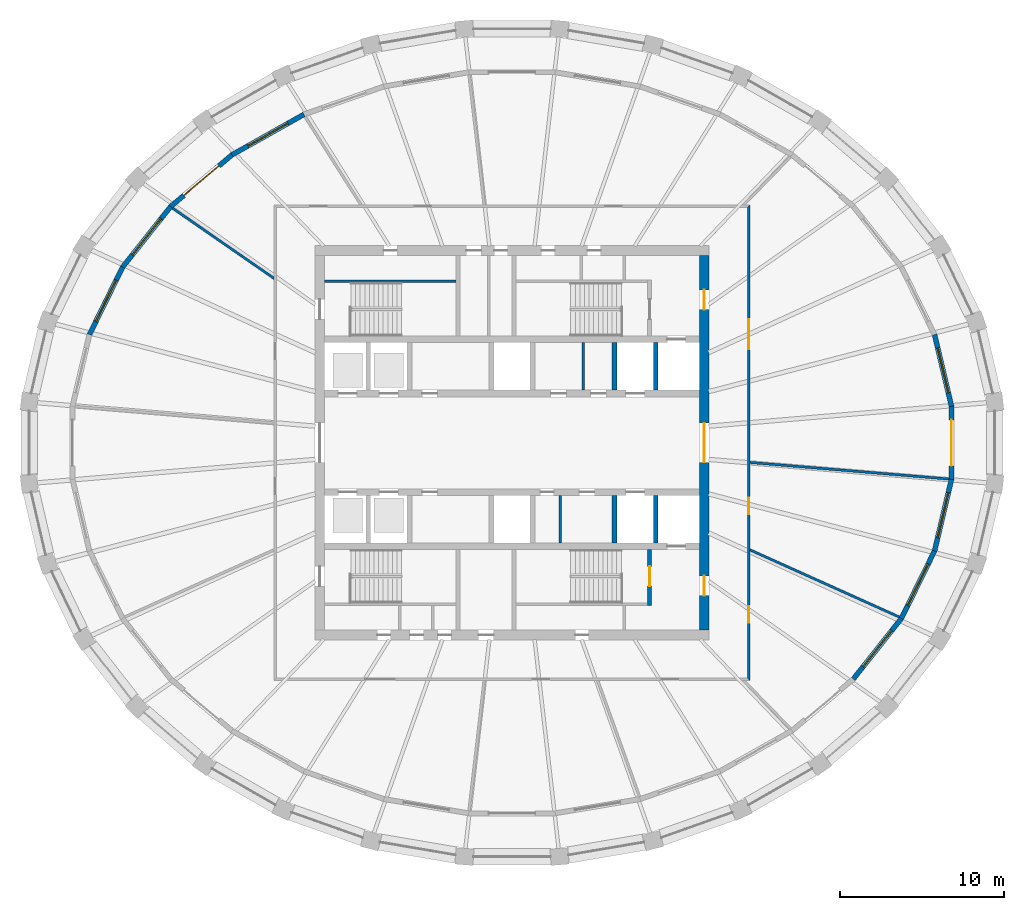
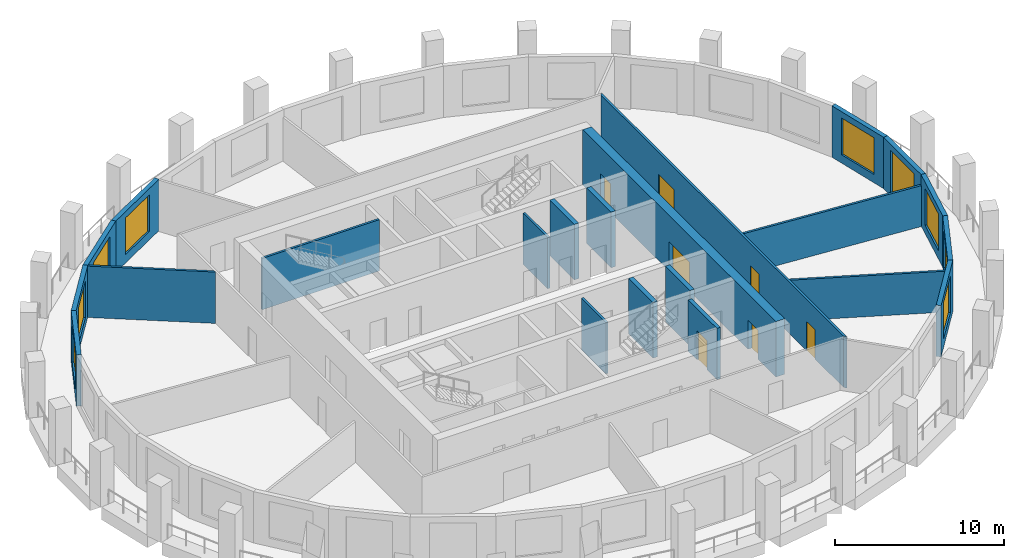
# One storey, part 5 of 10: 22 walls, 9 doors, 7 windows, 16 openings.
"""IFC4 building model written with IfcOpenShell, lengths in metres."""

from ifc_helpers import new_model, si_unit, direction, frame, frame_2d, origin, place, context, subcontext, project, spatial, polyline, rectangle, outline, extrude, material, layer, layer_set, type_object, element, fill, save


model = new_model("IFC4")

# Units and contexts
model_context = context("Model", 3, precision=1e-05, world=origin(), true_north=direction((0.0, 1.0)))
body_context = subcontext(model_context, "Body", "Model", "MODEL_VIEW")
ifc_project = project(units=[si_unit("LENGTHUNIT", "METRE"), si_unit("AREAUNIT", "SQUARE_METRE"), si_unit("VOLUMEUNIT", "CUBIC_METRE"), si_unit("PLANEANGLEUNIT", "RADIAN"), si_unit("MASSUNIT", "GRAM", prefix="KILO")], contexts=[model_context])

# Site, building, storey
site_placement = place(None, origin())
site = spatial("IfcSite", under=ifc_project, at=site_placement, CompositionType="ELEMENT")
building_placement = place(site_placement, origin())
building = spatial("IfcBuilding", under=site, at=building_placement, Name="Halqa Exchange Tower", CompositionType="ELEMENT")
storey_placement = place(building_placement, frame((0.0, 0.0, 280.300048828125)))
storey = spatial("IfcBuildingStorey", under=building, at=storey_placement, Name="L65", CompositionType="ELEMENT", Elevation=280.300048828125)

# Wall
ifc_material_1 = material(Name="Fire-rated gypsum board")
ifc_layer_1 = layer(ifc_material_1, 0.14990234375)
ifc_layer_set_1 = layer_set([ifc_layer_1], Name="Fire-rated gypsum board")
wall_type_1 = type_object("IfcWallType", Name="Fire partition EI 60 150", PredefinedType="PARTITIONING", material=ifc_layer_set_1)
wall_1_placement = place(storey_placement, frame((-14.4326171875, 9.972412109375, 0.0), z_axis=(0.0, 0.0, 1.0), x_axis=(-0.822596869136, 0.568625000231, 0.0)))
element("IfcWall", 1, at=wall_1_placement, inside=storey, type_object=wall_type_1, Name="L65-PWL-005", PredefinedType="PARTITIONING", context=body_context, shape_type="SweptSolid", body=[
    extrude(outline(polyline([(0.103271484375, -0.074951171875), (1.96533203125, -0.074951171875), (3.827392578125, -0.074951171875), (5.689208984375, -0.074951171875), (7.55126953125, -0.074951171875), (7.5712890625, -0.001708984375), (7.575927734375, 0.0693359375), (7.575927734375, 0.074951171875), (5.681884765625, 0.074951171875), (3.7880859375, 0.074951171875), (1.89404296875, 0.074951171875), (0.0, 0.074951171875), (0.0, 0.074462890625), (0.103271484375, -0.074951171875)])), origin(), (0.0, 0.0, 1.0), 3.699951171875),
])

# Wall, openings, doors
wall_2_placement = place(storey_placement, frame((14.39990234375, -14.47509765625, 0.0), z_axis=(0.0, 0.0, 1.0), x_axis=(0.0, 1.0, 0.0)))
wall_2 = element("IfcWall", 2, at=wall_2_placement, inside=storey, type_object=wall_type_1, Name="L65-PWL-012", PredefinedType="PARTITIONING", context=body_context, shape_type="SweptSolid", body=[
    extrude(outline(polyline([(0.000244140625, -0.074951171875), (1.93017578125, -0.074951171875), (3.860107421875, -0.074951171875), (5.790283203125, -0.074951171875), (7.72021484375, -0.074951171875), (9.650146484375, -0.074951171875), (11.580078125, -0.074951171875), (13.510009765625, -0.074951171875), (15.440185546875, -0.074951171875), (17.3701171875, -0.074951171875), (19.300048828125, -0.074951171875), (21.22998046875, -0.074951171875), (23.159912109375, -0.074951171875), (25.090087890625, -0.074951171875), (27.02001953125, -0.074951171875), (28.949951171875, -0.074951171875), (28.800048828125, 0.074951171875), (26.89013671875, 0.074951171875), (24.97998046875, 0.074951171875), (23.070068359375, 0.074951171875), (21.16015625, 0.074951171875), (19.25, 0.074951171875), (17.340087890625, 0.074951171875), (15.43017578125, 0.074951171875), (13.52001953125, 0.074951171875), (11.610107421875, 0.074951171875), (9.7001953125, 0.074951171875), (7.7900390625, 0.074951171875), (5.880126953125, 0.074951171875), (3.97021484375, 0.074951171875), (2.06005859375, 0.074951171875), (0.150146484375, 0.074951171875), (0.000244140625, -0.074951171875)])), origin(), (0.0, 0.0, 1.0), 3.699951171875),
])
opening_1_placement = place(wall_2_placement, frame((3.534912109375, 0.0, 0.0)))
opening_1 = element("IfcOpeningElement", 3, at=opening_1_placement, cuts=wall_2, Name="Opening 20-01", PredefinedType="OPENING", context=body_context, shape_type="SweptSolid", body=[
    extrude(rectangle(XDim=1.0, YDim=2.10009765625, at=frame_2d((0.5, 1.050048828125))), frame((0.0, 0.0869140625, 0.0), z_axis=(0.0, -1.0, 0.0), x_axis=(1.0, 0.0, 0.0)), (0.0, 0.0, 1.0), 0.173828125),
])
opening_2_placement = place(wall_2_placement, frame((10.139892578125, 0.0, 0.0)))
opening_2 = element("IfcOpeningElement", 4, at=opening_2_placement, cuts=wall_2, Name="Opening 20-02", PredefinedType="OPENING", context=body_context, shape_type="SweptSolid", body=[
    extrude(rectangle(XDim=1.0, YDim=2.10009765625, at=frame_2d((0.5, 1.050048828125))), frame((0.0, 0.0869140625, 0.0), z_axis=(0.0, -1.0, 0.0), x_axis=(1.0, 0.0, 0.0)), (0.0, 0.0, 1.0), 0.173828125),
])
opening_3_placement = place(wall_2_placement, frame((20.179931640625, 0.0, 0.0)))
opening_3 = element("IfcOpeningElement", 5, at=opening_3_placement, cuts=wall_2, Name="Opening 20-03", PredefinedType="OPENING", context=body_context, shape_type="SweptSolid", body=[
    extrude(rectangle(XDim=1.800048828125, YDim=2.10009765625, at=frame_2d((0.89990234375, 1.050048828125))), frame((0.0, 0.0869140625, 0.0), z_axis=(0.0, -1.0, 0.0), x_axis=(1.0, 0.0, 0.0)), (0.0, 0.0, 1.0), 0.173828125),
])
ifc_material_2 = material(Name="Steel fire door leaf", Category="steel")
door_type_1 = type_object("IfcDoorType", Name="Fire door FD30S 1000 x 2100", OperationType="SINGLE_SWING_LEFT", PredefinedType="DOOR", material=ifc_material_2)
door_1_placement = place(opening_1_placement, frame((1.0, 0.0, 0.0), z_axis=(0.0, 0.0, 1.0), x_axis=(-1.0, 0.0, 0.0)))
door_1 = element("IfcDoor", 6, at=door_1_placement, inside=storey, type_object=door_type_1, Name="L65-IDR-001", OperationType="SINGLE_SWING_RIGHT", OverallHeight=2.10009765625, OverallWidth=1.0, PredefinedType="DOOR", context=body_context, shape_type="SweptSolid", body=[
    extrude(rectangle(XDim=1.0, YDim=2.10009765625, at=frame_2d((0.5, 1.050048828125))), frame((0.0, 0.02490234375, 0.0), z_axis=(0.0, -1.0, 0.0), x_axis=(1.0, 0.0, 0.0)), (0.0, 0.0, 1.0), 0.050048828125),
])
fill(opening_1, door_1)
door_2_placement = place(opening_2_placement, frame((1.0, 0.0, 0.0), z_axis=(0.0, 0.0, 1.0), x_axis=(-1.0, 0.0, 0.0)))
door_2 = element("IfcDoor", 7, at=door_2_placement, inside=storey, type_object=door_type_1, Name="L65-IDR-002", OperationType="SINGLE_SWING_LEFT", OverallHeight=2.10009765625, OverallWidth=1.0, PredefinedType="DOOR", context=body_context, shape_type="SweptSolid", body=[
    extrude(rectangle(XDim=1.0, YDim=2.10009765625, at=frame_2d((0.5, 1.050048828125))), frame((0.0, 0.02490234375, 0.0), z_axis=(0.0, -1.0, 0.0), x_axis=(1.0, 0.0, 0.0)), (0.0, 0.0, 1.0), 0.050048828125),
])
fill(opening_2, door_2)
door_type_2 = type_object("IfcDoorType", Name="Fire door FD30S double 1800 x 2100", OperationType="DOUBLE_DOOR_SINGLE_SWING", PredefinedType="DOOR", material=ifc_material_2)
door_3_placement = place(opening_3_placement, frame((1.800048828125, 0.0, 0.0), z_axis=(0.0, 0.0, 1.0), x_axis=(-1.0, 0.0, 0.0)))
door_3 = element("IfcDoor", 8, at=door_3_placement, inside=storey, type_object=door_type_2, Name="L65-IDR-003", OperationType="DOUBLE_DOOR_SINGLE_SWING", OverallHeight=2.10009765625, OverallWidth=1.800048828125, PredefinedType="DOOR", context=body_context, shape_type="SweptSolid", body=[
    extrude(rectangle(XDim=1.800048828125, YDim=2.10009765625, at=frame_2d((0.89990234375, 1.050048828125))), frame((0.0, 0.02490234375, 0.0), z_axis=(0.0, -1.0, 0.0), x_axis=(1.0, 0.0, 0.0)), (0.0, 0.0, 1.0), 0.050048828125),
])
fill(opening_3, door_3)

# Walls
wall_3_placement = place(storey_placement, frame((14.444580078125, -6.5, 0.0), z_axis=(0.0, 0.0, 1.0), x_axis=(0.912008635086, -0.410171000351, 0.0)))
element("IfcWall", 9, at=wall_3_placement, inside=storey, type_object=wall_type_1, Name="L65-PWL-013", PredefinedType="PARTITIONING", context=body_context, shape_type="SweptSolid", body=[
    extrude(outline(polyline([(0.067138671875, -0.074951171875), (2.052001953125, -0.074951171875), (4.03662109375, -0.074951171875), (6.021484375, -0.074951171875), (8.00634765625, -0.074951171875), (9.9912109375, -0.074951171875), (10.0087890625, -0.00537109375), (10.011474609375, 0.07080078125), (10.011474609375, 0.074951171875), (8.3427734375, 0.074951171875), (6.67431640625, 0.074951171875), (5.005859375, 0.074951171875), (3.337158203125, 0.074951171875), (1.66845703125, 0.074951171875), (0.0, 0.074951171875), (0.0, 0.07421875), (0.067138671875, -0.074951171875)])), origin(), (0.0, 0.0, 1.0), 2.947021484375),
])
wall_4_placement = place(storey_placement, frame((14.46923828125, -1.19580078125, 0.0), z_axis=(0.0, 0.0, 1.0), x_axis=(0.996556684965, -0.08291425481, 0.0)))
element("IfcWall", 10, at=wall_4_placement, inside=storey, type_object=wall_type_1, Name="L65-PWL-014", PredefinedType="PARTITIONING", context=body_context, shape_type="SweptSolid", body=[
    extrude(outline(polyline([(0.011962890625, -0.074951171875), (1.747314453125, -0.074951171875), (3.482666015625, -0.074951171875), (5.218017578125, -0.074951171875), (6.953369140625, -0.074951171875), (8.688720703125, -0.074951171875), (10.424072265625, -0.074951171875), (12.159423828125, -0.074951171875), (12.163818359375, -0.045166015625), (12.163818359375, 0.074951171875), (10.426025390625, 0.074951171875), (8.6884765625, 0.074951171875), (6.95068359375, 0.074951171875), (5.213134765625, 0.074951171875), (3.475341796875, 0.074951171875), (1.73779296875, 0.074951171875), (0.0, 0.074951171875), (0.0, 0.069580078125), (0.011962890625, -0.074951171875)])), origin(), (0.0, 0.0, 1.0), 2.947021484375),
])
ifc_material_3 = material(Name="Gypsum board")
ifc_layer_2 = layer(ifc_material_3, 0.14990234375)
ifc_layer_set_2 = layer_set([ifc_layer_2], Name="Gypsum board")
wall_type_2 = type_object("IfcWallType", Name="Penthouse riser wall 150 gypsum", PredefinedType="PARTITIONING", material=ifc_layer_set_2)
for number, where, z_axis, x_axis, name in (
    (11, (4.35009765625, 3.199951171875, 0.0), (0.0, 0.0, 1.0), (0.0, 1.0, 0.0), "Freed bay partition NE4.350"),
    (12, (2.949951171875, -6.10009765625, 0.0), (0.0, 0.0, 1.0), (0.0, 1.0, 0.0), "Freed bay partition SE2.950"),
):
    element("IfcWall", number, at=place(storey_placement, frame(where, z_axis=z_axis, x_axis=x_axis)), inside=storey, type_object=wall_type_2, Name=name, PredefinedType="PARTITIONING", context=body_context, shape_type="SweptSolid", body=[
        extrude(rectangle(XDim=2.900146484375, YDim=0.14990234375, at=frame_2d((1.4501953125, 0.0))), origin(), (0.0, 0.0, 1.0), 3.699951171875),
    ])
ifc_material_4 = material(Name="Concrete C60/75", Category="concrete")
ifc_layer_3 = layer(ifc_material_4, 0.300048828125)
ifc_layer_set_3 = layer_set([ifc_layer_3], Name="Concrete C60/75")
wall_type_3 = type_object("IfcWallType", Name="RC core wall 300", PredefinedType="SHEAR", material=ifc_layer_set_3)
for number, where, z_axis, x_axis, name in (
    (13, (6.25, 3.199951171875, 0.0), (0.0, 0.0, 1.0), (0.0, 1.0, 0.0), "Shaft divider N7"),
    (14, (8.75, 3.199951171875, 0.0), (0.0, 0.0, 1.0), (0.0, 1.0, 0.0), "Shaft divider N8"),
    (15, (6.25, -6.10009765625, 0.0), (0.0, 0.0, 1.0), (0.0, 1.0, 0.0), "Shaft divider S7"),
    (16, (8.75, -6.10009765625, 0.0), (0.0, 0.0, 1.0), (0.0, 1.0, 0.0), "Shaft divider S8"),
):
    element("IfcWall", number, at=place(storey_placement, frame(where, z_axis=z_axis, x_axis=x_axis)), inside=storey, type_object=wall_type_3, Name=name, PredefinedType="SHEAR", context=body_context, shape_type="SweptSolid", body=[
        extrude(rectangle(XDim=2.900146484375, YDim=0.300048828125, at=frame_2d((1.4501953125, 0.0))), origin(), (0.0, 0.0, 1.0), 4.0),
    ])

# Wall, openings, doors
ifc_layer_4 = layer(ifc_material_4, 0.60009765625)
ifc_layer_set_4 = layer_set([ifc_layer_4], Name="Concrete C60/75")
wall_type_4 = type_object("IfcWallType", Name="RC core wall 600 C60/75", PredefinedType="SHEAR", material=ifc_layer_set_4)
wall_5_placement = place(storey_placement, frame((11.699951171875, -11.39990234375, 0.0), z_axis=(0.0, 0.0, 1.0), x_axis=(0.0, 1.0, 0.0)))
wall_5 = element("IfcWall", 17, at=wall_5_placement, inside=storey, type_object=wall_type_4, Name="Core wall east", PredefinedType="SHEAR", context=body_context, shape_type="SweptSolid", body=[
    extrude(rectangle(XDim=22.7998046875, YDim=0.60009765625, at=frame_2d((11.39990234375, 0.0))), origin(), (0.0, 0.0, 1.0), 4.0),
])
opening_4_placement = place(wall_5_placement, frame((10.199951171875, 0.0, 0.0)))
opening_4 = element("IfcOpeningElement", 18, at=opening_4_placement, cuts=wall_5, Name="Opening T20-C10", PredefinedType="OPENING", context=body_context, shape_type="SweptSolid", body=[
    extrude(rectangle(XDim=2.39990234375, YDim=2.10009765625, at=frame_2d((1.199951171875, 1.050048828125))), frame((0.0, 0.31201171875, 0.0), z_axis=(0.0, -1.0, 0.0), x_axis=(1.0, 0.0, 0.0)), (0.0, 0.0, 1.0), 0.6240234375),
])
opening_5_placement = place(wall_5_placement, frame((19.5, 0.0, 0.0)))
opening_5 = element("IfcOpeningElement", 19, at=opening_5_placement, cuts=wall_5, Name="Opening T20-C15", PredefinedType="OPENING", context=body_context, shape_type="SweptSolid", body=[
    extrude(rectangle(XDim=1.199951171875, YDim=2.10009765625, at=frame_2d((0.60009765625, 1.050048828125))), frame((0.0, 0.31201171875, 0.0), z_axis=(0.0, -1.0, 0.0), x_axis=(1.0, 0.0, 0.0)), (0.0, 0.0, 1.0), 0.6240234375),
])
opening_6_placement = place(wall_5_placement, frame((2.10009765625, 0.0, 0.0)))
opening_6 = element("IfcOpeningElement", 20, at=opening_6_placement, cuts=wall_5, Name="Opening T20-C16", PredefinedType="OPENING", context=body_context, shape_type="SweptSolid", body=[
    extrude(rectangle(XDim=1.199951171875, YDim=2.10009765625, at=frame_2d((0.60009765625, 1.050048828125))), frame((0.0, 0.31201171875, 0.0), z_axis=(0.0, -1.0, 0.0), x_axis=(1.0, 0.0, 0.0)), (0.0, 0.0, 1.0), 0.6240234375),
])
door_type_3 = type_object("IfcDoorType", Name="Firefighting lobby door FD90 1200 x 2100", OperationType="SINGLE_SWING_RIGHT", PredefinedType="DOOR", material=ifc_material_2)
door_4_placement = place(opening_5_placement, origin())
door_4 = element("IfcDoor", 21, at=door_4_placement, inside=storey, type_object=door_type_3, Name="Firefighting lobby door", OperationType="SINGLE_SWING_RIGHT", OverallHeight=2.10009765625, OverallWidth=1.199951171875, PredefinedType="DOOR", context=body_context, shape_type="SweptSolid", body=[
    extrude(rectangle(XDim=1.199951171875, YDim=2.10009765625, at=frame_2d((0.60009765625, 1.050048828125))), frame((0.0, 0.02490234375, 0.0), z_axis=(0.0, -1.0, 0.0), x_axis=(1.0, 0.0, 0.0)), (0.0, 0.0, 1.0), 0.050048828125),
])
fill(opening_5, door_4)
door_5_placement = place(opening_6_placement, origin())
door_5 = element("IfcDoor", 22, at=door_5_placement, inside=storey, type_object=door_type_3, Name="Firefighting lobby door", OperationType="SINGLE_SWING_LEFT", OverallHeight=2.10009765625, OverallWidth=1.199951171875, PredefinedType="DOOR", context=body_context, shape_type="SweptSolid", body=[
    extrude(rectangle(XDim=1.199951171875, YDim=2.10009765625, at=frame_2d((0.60009765625, 1.050048828125))), frame((0.0, 0.02490234375, 0.0), z_axis=(0.0, -1.0, 0.0), x_axis=(1.0, 0.0, 0.0)), (0.0, 0.0, 1.0), 0.050048828125),
])
fill(opening_6, door_5)
door_type_4 = type_object("IfcDoorType", Name="Lobby double door FD60 2400 x 2100", OperationType="DOUBLE_DOOR_SINGLE_SWING", PredefinedType="DOOR", material=ifc_material_2)
door_6_placement = place(opening_4_placement, origin())
door_6 = element("IfcDoor", 23, at=door_6_placement, inside=storey, type_object=door_type_4, Name="Lift lobby double door", OperationType="DOUBLE_DOOR_SINGLE_SWING", OverallHeight=2.10009765625, OverallWidth=2.39990234375, PredefinedType="DOOR", context=body_context, shape_type="SweptSolid", body=[
    extrude(rectangle(XDim=2.39990234375, YDim=2.10009765625, at=frame_2d((1.199951171875, 1.050048828125))), frame((0.0, 0.02490234375, 0.0), z_axis=(0.0, -1.0, 0.0), x_axis=(1.0, 0.0, 0.0)), (0.0, 0.0, 1.0), 0.050048828125),
])
fill(opening_4, door_6)

# Wall
ifc_material_5 = material(Name="Concrete C30/37", Category="concrete")
ifc_layer_5 = layer(ifc_material_5, 0.14990234375)
ifc_layer_set_5 = layer_set([ifc_layer_5], Name="Concrete C30/37")
wall_type_5 = type_object("IfcWallType", Name="RC stair wall 150 C30/37", PredefinedType="SHEAR", material=ifc_layer_set_5)
wall_6_placement = place(storey_placement, frame((-11.39990234375, 9.824951171875, 0.0), z_axis=(0.0, 0.0, 1.0), x_axis=(1.0, 0.0, 0.0)))
element("IfcWall", 24, at=wall_6_placement, inside=storey, type_object=wall_type_5, Name="Stair ST1 north wall N", PredefinedType="SHEAR", context=body_context, shape_type="SweptSolid", body=[
    extrude(rectangle(XDim=8.0, YDim=0.14990234375, at=frame_2d((4.0, 0.0))), origin(), (0.0, 0.0, 1.0), 3.699951171875),
])

# Wall, opening, door
ifc_layer_6 = layer(ifc_material_5, 0.25)
ifc_layer_set_6 = layer_set([ifc_layer_6], Name="Concrete C30/37")
wall_type_6 = type_object("IfcWallType", Name="RC stair wall 250 C30/37", PredefinedType="SHEAR", material=ifc_layer_set_6)
wall_7_placement = place(storey_placement, frame((8.375, -9.89990234375, 0.0), z_axis=(0.0, 0.0, 1.0), x_axis=(0.0, 1.0, 0.0)))
wall_7 = element("IfcWall", 25, at=wall_7_placement, inside=storey, type_object=wall_type_6, Name="Stair ST2 east wall S", PredefinedType="SHEAR", context=body_context, shape_type="SweptSolid", body=[
    extrude(rectangle(XDim=3.39990234375, YDim=0.25, at=frame_2d((1.699951171875, 0.0))), origin(), (0.0, 0.0, 1.0), 3.699951171875),
])
opening_7_placement = place(wall_7_placement, frame((1.175048828125, 0.0, 0.0)))
opening_7 = element("IfcOpeningElement", 26, at=opening_7_placement, cuts=wall_7, Name="Opening T20-C14", PredefinedType="OPENING", context=body_context, shape_type="SweptSolid", body=[
    extrude(rectangle(XDim=1.199951171875, YDim=2.10009765625, at=frame_2d((0.60009765625, 1.050048828125))), frame((0.0, 0.136962890625, 0.0), z_axis=(0.0, -1.0, 0.0), x_axis=(1.0, 0.0, 0.0)), (0.0, 0.0, 1.0), 0.27392578125),
])
door_type_5 = type_object("IfcDoorType", Name="Stair door FD90 1200 x 2100", OperationType="SINGLE_SWING_LEFT", PredefinedType="DOOR", material=ifc_material_2)
door_7_placement = place(opening_7_placement, origin())
door_7 = element("IfcDoor", 27, at=door_7_placement, inside=storey, type_object=door_type_5, Name="Stair door ST4", OperationType="SINGLE_SWING_LEFT", OverallHeight=2.10009765625, OverallWidth=1.199951171875, PredefinedType="DOOR", context=body_context, shape_type="SweptSolid", body=[
    extrude(rectangle(XDim=1.199951171875, YDim=2.10009765625, at=frame_2d((0.60009765625, 1.050048828125))), frame((0.0, 0.02490234375, 0.0), z_axis=(0.0, -1.0, 0.0), x_axis=(1.0, 0.0, 0.0)), (0.0, 0.0, 1.0), 0.050048828125),
])
fill(opening_7, door_7)

# Wall, opening, window
ifc_material_6 = material(Name="Limestone cladding", Category="masonry")
ifc_layer_7 = layer(ifc_material_6, 0.0400390625)
ifc_material_7 = material(Name="Ventilated cavity")
ifc_layer_8 = layer(ifc_material_7, 0.030029296875, ventilated=True)
ifc_material_8 = material(Name="Mineral wool insulation")
ifc_layer_9 = layer(ifc_material_8, 0.10009765625)
ifc_layer_10 = layer(ifc_material_5, 0.10009765625)
ifc_material_9 = material(Name="Internal plaster")
ifc_layer_11 = layer(ifc_material_9, 0.030029296875)
ifc_layer_set_7 = layer_set([ifc_layer_7, ifc_layer_8, ifc_layer_9, ifc_layer_10, ifc_layer_11], Name="Stone-faced insulated wall 300")
wall_type_7 = type_object("IfcWallType", Name="Stone-faced insulated wall 300", PredefinedType="STANDARD", material=ifc_layer_set_7)
wall_8_placement = place(storey_placement, frame((26.74755859375, 2.2236328125, 0.0), z_axis=(0.0, 0.0, 1.0), x_axis=(-0.229862207503, 0.973223183839, 0.0)))
wall_8 = element("IfcWall", 28, at=wall_8_placement, inside=storey, type_object=wall_type_7, Name="Glass-line wall 1", PredefinedType="STANDARD", context=body_context, shape_type="SweptSolid", body=[
    extrude(outline(polyline([(-0.017578125, -0.14990234375), (4.497802734375, -0.14990234375), (4.464111328125, 0.14990234375), (0.017578125, 0.14990234375), (-0.017578125, -0.14990234375)])), origin(), (0.0, 0.0, 1.0), 3.699951171875),
])
opening_8_placement = place(wall_8_placement, frame((0.840576171875, 0.0, 0.60009765625)))
opening_8 = element("IfcOpeningElement", 29, at=opening_8_placement, cuts=wall_8, Name="Opening W-F4-01", PredefinedType="OPENING", context=body_context, shape_type="SweptSolid", body=[
    extrude(rectangle(XDim=2.800048828125, YDim=2.64990234375, at=frame_2d((1.39990234375, 1.324951171875))), frame((0.0, 0.162109375, 0.0), z_axis=(0.0, -1.0, 0.0), x_axis=(1.0, 0.0, 0.0)), (0.0, 0.0, 1.0), 0.323974609375),
])
ifc_material_10 = material(Name="Clear low-emissivity glass in aluminium frame", Category="aluminium")
window_type = type_object("IfcWindowType", Name="Fixed clear glazed window 2800 x 2650", PartitioningType="DOUBLE_PANEL_VERTICAL", PredefinedType="WINDOW", material=ifc_material_10)
window_1_placement = place(opening_8_placement, origin())
window_1 = element("IfcWindow", 30, at=window_1_placement, inside=storey, type_object=window_type, Name="Window 4", OverallHeight=2.64990234375, OverallWidth=2.800048828125, PartitioningType="DOUBLE_PANEL_VERTICAL", PredefinedType="WINDOW", context=body_context, shape_type="SweptSolid", body=[
    extrude(rectangle(XDim=2.800048828125, YDim=2.64990234375, at=frame_2d((1.39990234375, 1.324951171875))), frame((0.0, 0.030029296875, 0.0), z_axis=(0.0, -1.0, 0.0), x_axis=(1.0, 0.0, 0.0)), (0.0, 0.0, 1.0), 0.06005859375),
])
fill(opening_8, window_1)

wall_9_placement = place(storey_placement, frame((-12.66064453125, 19.98779296875, 0.0), z_axis=(0.0, 0.0, 1.0), x_axis=(-0.871488606878, -0.490415750239, 0.0)))
wall_9 = element("IfcWall", 31, at=wall_9_placement, inside=storey, type_object=wall_type_7, Name="Glass-line wall 11", PredefinedType="STANDARD", context=body_context, shape_type="SweptSolid", body=[
    extrude(outline(polyline([(-0.01318359375, -0.14990234375), (5.040283203125, -0.14990234375), (5.011962890625, 0.14990234375), (0.01318359375, 0.14990234375), (-0.01318359375, -0.14990234375)])), origin(), (0.0, 0.0, 1.0), 3.699951171875),
])
opening_9_placement = place(wall_9_placement, frame((1.113037109375, 0.0, 0.60009765625)))
opening_9 = element("IfcOpeningElement", 32, at=opening_9_placement, cuts=wall_9, Name="Opening W-F4-11", PredefinedType="OPENING", context=body_context, shape_type="SweptSolid", body=[
    extrude(rectangle(XDim=2.800048828125, YDim=2.64990234375, at=frame_2d((1.39990234375, 1.324951171875))), frame((0.0, 0.162109375, 0.0), z_axis=(0.0, -1.0, 0.0), x_axis=(1.0, 0.0, 0.0)), (0.0, 0.0, 1.0), 0.323974609375),
])
window_2_placement = place(opening_9_placement, origin())
window_2 = element("IfcWindow", 33, at=window_2_placement, inside=storey, type_object=window_type, Name="Window 4", OverallHeight=2.64990234375, OverallWidth=2.800048828125, PartitioningType="DOUBLE_PANEL_VERTICAL", PredefinedType="WINDOW", context=body_context, shape_type="SweptSolid", body=[
    extrude(rectangle(XDim=2.800048828125, YDim=2.64990234375, at=frame_2d((1.39990234375, 1.324951171875))), frame((0.0, 0.030029296875, 0.0), z_axis=(0.0, -1.0, 0.0), x_axis=(1.0, 0.0, 0.0)), (0.0, 0.0, 1.0), 0.06005859375),
])
fill(opening_9, window_2)

# Wall, opening, door
wall_10_placement = place(storey_placement, frame((-17.040771484375, 17.52294921875, 0.0), z_axis=(0.0, 0.0, 1.0), x_axis=(-0.764876116592, -0.644177402792, 0.0)))
wall_10 = element("IfcWall", 34, at=wall_10_placement, inside=storey, type_object=wall_type_7, Name="Glass-line wall 12", PredefinedType="STANDARD", context=body_context, shape_type="SweptSolid", body=[
    extrude(outline(polyline([(-0.01416015625, -0.14990234375), (4.887939453125, -0.14990234375), (4.857666015625, 0.14990234375), (0.01416015625, 0.14990234375), (-0.01416015625, -0.14990234375)])), origin(), (0.0, 0.0, 1.0), 3.699951171875),
])
opening_10_placement = place(wall_10_placement, frame((1.036376953125, 0.0, 0.0)))
opening_10 = element("IfcOpeningElement", 35, at=opening_10_placement, cuts=wall_10, Name="Opening LG-F4-03", PredefinedType="OPENING", context=body_context, shape_type="SweptSolid", body=[
    extrude(rectangle(XDim=2.800048828125, YDim=3.25, at=frame_2d((1.39990234375, 1.625))), frame((0.0, 0.162109375, 0.0), z_axis=(0.0, -1.0, 0.0), x_axis=(1.0, 0.0, 0.0)), (0.0, 0.0, 1.0), 0.323974609375),
])
door_type_6 = type_object("IfcDoorType", Name="Glazed sliding loggia door 2800 x 3250", OperationType="DOUBLE_DOOR_SLIDING", PredefinedType="DOOR", material=ifc_material_10)
door_8_placement = place(opening_10_placement, origin())
door_8 = element("IfcDoor", 36, at=door_8_placement, inside=storey, type_object=door_type_6, Name="Loggia door 3", OperationType="DOUBLE_DOOR_SLIDING", OverallHeight=3.25, OverallWidth=2.800048828125, PredefinedType="DOOR", context=body_context, shape_type="SweptSolid", body=[
    extrude(rectangle(XDim=2.800048828125, YDim=3.25, at=frame_2d((1.39990234375, 1.625))), frame((0.0, 0.02490234375, 0.0), z_axis=(0.0, -1.0, 0.0), x_axis=(1.0, 0.0, 0.0)), (0.0, 0.0, 1.0), 0.050048828125),
])
fill(opening_10, door_8)

# Wall, opening, window
wall_11_placement = place(storey_placement, frame((-20.767822265625, 14.384033203125, 0.0), z_axis=(0.0, 0.0, 1.0), x_axis=(-0.621544881236, -0.783378555112, 0.0)))
wall_11 = element("IfcWall", 37, at=wall_11_placement, inside=storey, type_object=wall_type_7, Name="Glass-line wall 13", PredefinedType="STANDARD", context=body_context, shape_type="SweptSolid", body=[
    extrude(outline(polyline([(-0.01513671875, -0.14990234375), (4.73046875, -0.14990234375), (4.6982421875, 0.14990234375), (0.01513671875, 0.14990234375), (-0.01513671875, -0.14990234375)])), origin(), (0.0, 0.0, 1.0), 3.699951171875),
])
opening_11_placement = place(wall_11_placement, frame((0.957275390625, 0.0, 0.60009765625)))
opening_11 = element("IfcOpeningElement", 38, at=opening_11_placement, cuts=wall_11, Name="Opening W-F4-13", PredefinedType="OPENING", context=body_context, shape_type="SweptSolid", body=[
    extrude(rectangle(XDim=2.800048828125, YDim=2.64990234375, at=frame_2d((1.39990234375, 1.324951171875))), frame((0.0, 0.162109375, 0.0), z_axis=(0.0, -1.0, 0.0), x_axis=(1.0, 0.0, 0.0)), (0.0, 0.0, 1.0), 0.323974609375),
])
window_3_placement = place(opening_11_placement, origin())
window_3 = element("IfcWindow", 39, at=window_3_placement, inside=storey, type_object=window_type, Name="Window 4", OverallHeight=2.64990234375, OverallWidth=2.800048828125, PartitioningType="DOUBLE_PANEL_VERTICAL", PredefinedType="WINDOW", context=body_context, shape_type="SweptSolid", body=[
    extrude(rectangle(XDim=2.800048828125, YDim=2.64990234375, at=frame_2d((1.39990234375, 1.324951171875))), frame((0.0, 0.030029296875, 0.0), z_axis=(0.0, -1.0, 0.0), x_axis=(1.0, 0.0, 0.0)), (0.0, 0.0, 1.0), 0.06005859375),
])
fill(opening_11, window_3)

wall_12_placement = place(storey_placement, frame((-23.697998046875, 10.69091796875, 0.0), z_axis=(0.0, 0.0, 1.0), x_axis=(-0.441335149795, -0.897342345794, 0.0)))
wall_12 = element("IfcWall", 40, at=wall_12_placement, inside=storey, type_object=wall_type_7, Name="Glass-line wall 14", PredefinedType="STANDARD", context=body_context, shape_type="SweptSolid", body=[
    extrude(outline(polyline([(-0.01611328125, -0.14990234375), (4.5927734375, -0.14990234375), (4.55908203125, 0.14990234375), (0.01611328125, 0.14990234375), (-0.01611328125, -0.14990234375)])), origin(), (0.0, 0.0, 1.0), 3.699951171875),
])
opening_12_placement = place(wall_12_placement, frame((0.887939453125, 0.0, 0.60009765625)))
opening_12 = element("IfcOpeningElement", 41, at=opening_12_placement, cuts=wall_12, Name="Opening W-F4-14", PredefinedType="OPENING", context=body_context, shape_type="SweptSolid", body=[
    extrude(rectangle(XDim=2.800048828125, YDim=2.64990234375, at=frame_2d((1.39990234375, 1.324951171875))), frame((0.0, 0.162109375, 0.0), z_axis=(0.0, -1.0, 0.0), x_axis=(1.0, 0.0, 0.0)), (0.0, 0.0, 1.0), 0.323974609375),
])
window_4_placement = place(opening_12_placement, origin())
window_4 = element("IfcWindow", 42, at=window_4_placement, inside=storey, type_object=window_type, Name="Window 4", OverallHeight=2.64990234375, OverallWidth=2.800048828125, PartitioningType="DOUBLE_PANEL_VERTICAL", PredefinedType="WINDOW", context=body_context, shape_type="SweptSolid", body=[
    extrude(rectangle(XDim=2.800048828125, YDim=2.64990234375, at=frame_2d((1.39990234375, 1.324951171875))), frame((0.0, 0.030029296875, 0.0), z_axis=(0.0, -1.0, 0.0), x_axis=(1.0, 0.0, 0.0)), (0.0, 0.0, 1.0), 0.06005859375),
])
fill(opening_12, window_4)

wall_13_placement = place(storey_placement, frame((20.767822265625, -14.384033203125, 0.0), z_axis=(0.0, 0.0, 1.0), x_axis=(0.621544881236, 0.783378555112, 0.0)))
wall_13 = element("IfcWall", 43, at=wall_13_placement, inside=storey, type_object=wall_type_7, Name="Glass-line wall 29", PredefinedType="STANDARD", context=body_context, shape_type="SweptSolid", body=[
    extrude(outline(polyline([(-0.01513671875, -0.14990234375), (4.73046875, -0.14990234375), (4.6982421875, 0.14990234375), (0.01513671875, 0.14990234375), (-0.01513671875, -0.14990234375)])), origin(), (0.0, 0.0, 1.0), 3.699951171875),
])
opening_13_placement = place(wall_13_placement, frame((0.957275390625, 0.0, 0.60009765625)))
opening_13 = element("IfcOpeningElement", 44, at=opening_13_placement, cuts=wall_13, Name="Opening W-F4-29", PredefinedType="OPENING", context=body_context, shape_type="SweptSolid", body=[
    extrude(rectangle(XDim=2.800048828125, YDim=2.64990234375, at=frame_2d((1.39990234375, 1.324951171875))), frame((0.0, 0.162109375, 0.0), z_axis=(0.0, -1.0, 0.0), x_axis=(1.0, 0.0, 0.0)), (0.0, 0.0, 1.0), 0.323974609375),
])
window_5_placement = place(opening_13_placement, origin())
window_5 = element("IfcWindow", 45, at=window_5_placement, inside=storey, type_object=window_type, Name="Window 4", OverallHeight=2.64990234375, OverallWidth=2.800048828125, PartitioningType="DOUBLE_PANEL_VERTICAL", PredefinedType="WINDOW", context=body_context, shape_type="SweptSolid", body=[
    extrude(rectangle(XDim=2.800048828125, YDim=2.64990234375, at=frame_2d((1.39990234375, 1.324951171875))), frame((0.0, 0.030029296875, 0.0), z_axis=(0.0, -1.0, 0.0), x_axis=(1.0, 0.0, 0.0)), (0.0, 0.0, 1.0), 0.06005859375),
])
fill(opening_13, window_5)

wall_14_placement = place(storey_placement, frame((23.697998046875, -10.69091796875, 0.0), z_axis=(0.0, 0.0, 1.0), x_axis=(0.441335149795, 0.897342345794, 0.0)))
wall_14 = element("IfcWall", 46, at=wall_14_placement, inside=storey, type_object=wall_type_7, Name="Glass-line wall 30", PredefinedType="STANDARD", context=body_context, shape_type="SweptSolid", body=[
    extrude(outline(polyline([(-0.01611328125, -0.14990234375), (4.5927734375, -0.14990234375), (4.55908203125, 0.14990234375), (0.01611328125, 0.14990234375), (-0.01611328125, -0.14990234375)])), origin(), (0.0, 0.0, 1.0), 3.699951171875),
])
opening_14_placement = place(wall_14_placement, frame((0.887939453125, 0.0, 0.60009765625)))
opening_14 = element("IfcOpeningElement", 47, at=opening_14_placement, cuts=wall_14, Name="Opening W-F4-30", PredefinedType="OPENING", context=body_context, shape_type="SweptSolid", body=[
    extrude(rectangle(XDim=2.800048828125, YDim=2.64990234375, at=frame_2d((1.39990234375, 1.324951171875))), frame((0.0, 0.162109375, 0.0), z_axis=(0.0, -1.0, 0.0), x_axis=(1.0, 0.0, 0.0)), (0.0, 0.0, 1.0), 0.323974609375),
])
window_6_placement = place(opening_14_placement, origin())
window_6 = element("IfcWindow", 48, at=window_6_placement, inside=storey, type_object=window_type, Name="Window 4", OverallHeight=2.64990234375, OverallWidth=2.800048828125, PartitioningType="DOUBLE_PANEL_VERTICAL", PredefinedType="WINDOW", context=body_context, shape_type="SweptSolid", body=[
    extrude(rectangle(XDim=2.800048828125, YDim=2.64990234375, at=frame_2d((1.39990234375, 1.324951171875))), frame((0.0, 0.030029296875, 0.0), z_axis=(0.0, -1.0, 0.0), x_axis=(1.0, 0.0, 0.0)), (0.0, 0.0, 1.0), 0.06005859375),
])
fill(opening_14, window_6)

wall_15_placement = place(storey_placement, frame((25.717529296875, -6.584716796875, 0.0), z_axis=(0.0, 0.0, 1.0), x_axis=(0.229862207503, 0.973223183839, 0.0)))
wall_15 = element("IfcWall", 49, at=wall_15_placement, inside=storey, type_object=wall_type_7, Name="Glass-line wall 31", PredefinedType="STANDARD", context=body_context, shape_type="SweptSolid", body=[
    extrude(outline(polyline([(-0.016845703125, -0.14990234375), (4.49853515625, -0.14990234375), (4.46337890625, 0.14990234375), (0.016845703125, 0.14990234375), (-0.016845703125, -0.14990234375)])), origin(), (0.0, 0.0, 1.0), 3.699951171875),
])
opening_15_placement = place(wall_15_placement, frame((0.840576171875, 0.0, 0.60009765625)))
opening_15 = element("IfcOpeningElement", 50, at=opening_15_placement, cuts=wall_15, Name="Opening W-F4-31", PredefinedType="OPENING", context=body_context, shape_type="SweptSolid", body=[
    extrude(rectangle(XDim=2.800048828125, YDim=2.64990234375, at=frame_2d((1.39990234375, 1.324951171875))), frame((0.0, 0.162109375, 0.0), z_axis=(0.0, -1.0, 0.0), x_axis=(1.0, 0.0, 0.0)), (0.0, 0.0, 1.0), 0.323974609375),
])
window_7_placement = place(opening_15_placement, origin())
window_7 = element("IfcWindow", 51, at=window_7_placement, inside=storey, type_object=window_type, Name="Window 4", OverallHeight=2.64990234375, OverallWidth=2.800048828125, PartitioningType="DOUBLE_PANEL_VERTICAL", PredefinedType="WINDOW", context=body_context, shape_type="SweptSolid", body=[
    extrude(rectangle(XDim=2.800048828125, YDim=2.64990234375, at=frame_2d((1.39990234375, 1.324951171875))), frame((0.0, 0.030029296875, 0.0), z_axis=(0.0, -1.0, 0.0), x_axis=(1.0, 0.0, 0.0)), (0.0, 0.0, 1.0), 0.06005859375),
])
fill(opening_15, window_7)

# Wall, opening, door
wall_16_placement = place(storey_placement, frame((26.74755859375, -2.2236328125, 0.0), z_axis=(0.0, 0.0, 1.0), x_axis=(0.0, 1.0, 0.0)))
wall_16 = element("IfcWall", 52, at=wall_16_placement, inside=storey, type_object=wall_type_7, Name="Glass-line wall 32", PredefinedType="STANDARD", context=body_context, shape_type="SweptSolid", body=[
    extrude(outline(polyline([(-0.017578125, -0.14990234375), (4.46484375, -0.14990234375), (4.4296875, 0.14990234375), (0.017578125, 0.14990234375), (-0.017578125, -0.14990234375)])), origin(), (0.0, 0.0, 1.0), 3.699951171875),
])
opening_16_placement = place(wall_16_placement, frame((0.82373046875, 0.0, 0.0)))
opening_16 = element("IfcOpeningElement", 53, at=opening_16_placement, cuts=wall_16, Name="Opening LG-F4-08", PredefinedType="OPENING", context=body_context, shape_type="SweptSolid", body=[
    extrude(rectangle(XDim=2.800048828125, YDim=3.25, at=frame_2d((1.39990234375, 1.625))), frame((0.0, 0.162109375, 0.0), z_axis=(0.0, -1.0, 0.0), x_axis=(1.0, 0.0, 0.0)), (0.0, 0.0, 1.0), 0.323974609375),
])
door_9_placement = place(opening_16_placement, origin())
door_9 = element("IfcDoor", 54, at=door_9_placement, inside=storey, type_object=door_type_6, Name="Loggia door 8", OperationType="DOUBLE_DOOR_SLIDING", OverallHeight=3.25, OverallWidth=2.800048828125, PredefinedType="DOOR", context=body_context, shape_type="SweptSolid", body=[
    extrude(rectangle(XDim=2.800048828125, YDim=3.25, at=frame_2d((1.39990234375, 1.625))), frame((0.0, 0.02490234375, 0.0), z_axis=(0.0, -1.0, 0.0), x_axis=(1.0, 0.0, 0.0)), (0.0, 0.0, 1.0), 0.050048828125),
])
fill(opening_16, door_9)

save(model, "model.ifc")
